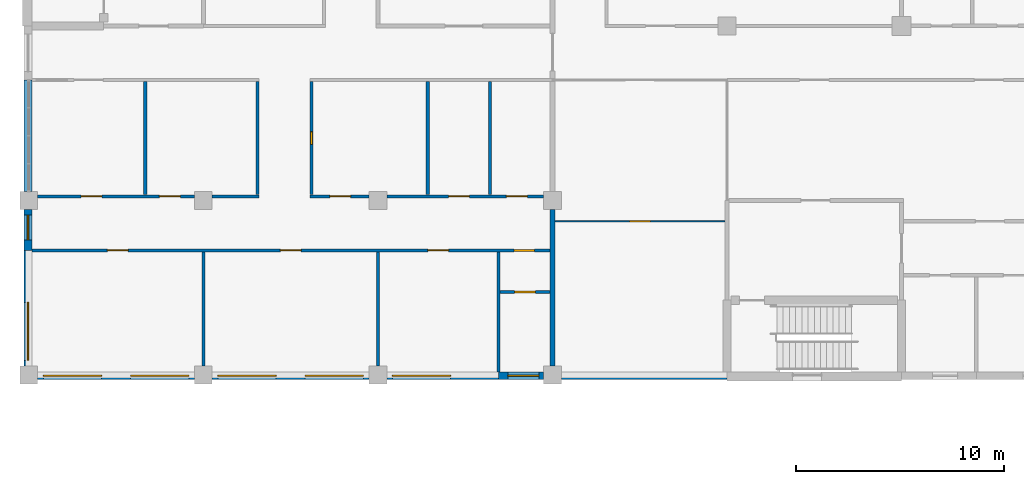
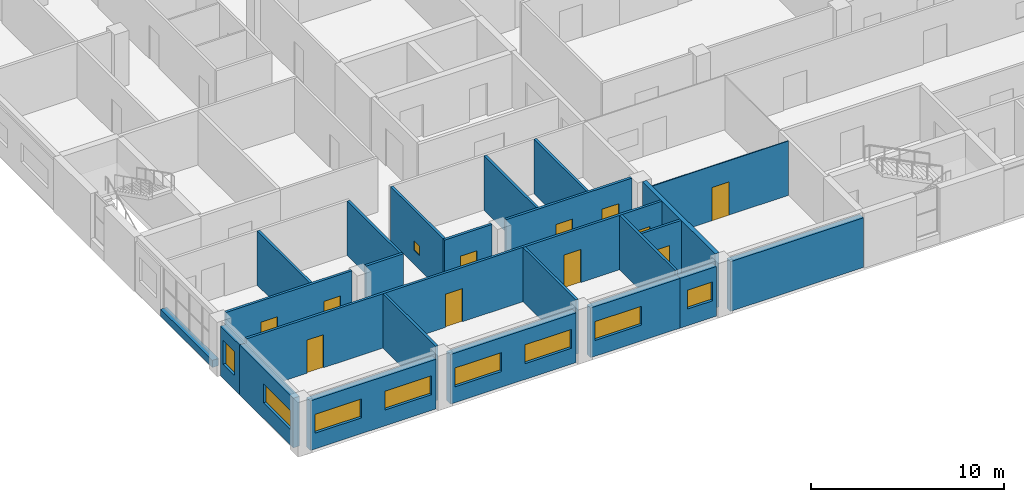
# One storey, part 51 of 94: 24 walls, 11 doors, 9 windows, 20 openings.
"""IFC4 building model written with IfcOpenShell, lengths in metres."""

from ifc_helpers import new_model, si_unit, direction, frame, frame_2d, origin, place, context, subcontext, project, spatial, rectangle, extrude, material, layer, layer_set, type_object, element, fill, save


model = new_model("IFC4")

# Units and contexts
model_context = context("Model", 3, precision=1e-05, world=origin(), true_north=direction((0.0, 1.0)))
body_context = subcontext(model_context, "Body", "Model", "MODEL_VIEW")
ifc_project = project(units=[si_unit("LENGTHUNIT", "METRE"), si_unit("AREAUNIT", "SQUARE_METRE"), si_unit("VOLUMEUNIT", "CUBIC_METRE"), si_unit("PLANEANGLEUNIT", "RADIAN"), si_unit("MASSUNIT", "GRAM", prefix="KILO")], contexts=[model_context])

# Site, building, storey
site_placement = place(None, origin())
site = spatial("IfcSite", under=ifc_project, at=site_placement, CompositionType="ELEMENT")
building_placement = place(site_placement, origin())
building = spatial("IfcBuilding", under=site, at=building_placement, Name="Yavir Park General Hospital", CompositionType="ELEMENT")
storey_placement = place(building_placement, frame((0.0, 0.0, 4.5)))
storey = spatial("IfcBuildingStorey", under=building, at=storey_placement, Name="L01", CompositionType="ELEMENT", Elevation=4.5)

# Wall
ifc_material_1 = material(Name="Concrete C30/37", Category="concrete")
ifc_layer_1 = layer(ifc_material_1, 0.25)
ifc_layer_set_1 = layer_set([ifc_layer_1], Name="Concrete C30/37")
wall_type_1 = type_object("IfcWallType", Name="Compartment fire wall 250, REI 150", PredefinedType="SOLIDWALL", material=ifc_layer_set_1)
wall_1_placement = place(storey_placement, frame((25.199951171875, 0.425048828125, 0.0), z_axis=(0.0, 0.0, 1.0), x_axis=(0.0, 1.0, 0.0)))
element("IfcWall", 1, at=wall_1_placement, inside=storey, type_object=wall_type_1, Name="FW25 L01-319", PredefinedType="SOLIDWALL", context=body_context, shape_type="SweptSolid", body=[
    extrude(rectangle(XDim=7.550048828125, YDim=0.25, at=frame_2d((3.77490234375, 0.0))), origin(), (0.0, 0.0, 1.0), 3.449951171875),
])

# Wall, opening, door
ifc_material_2 = material(Name="Gypsum board partition on steel studs", Category="steel")
ifc_layer_2 = layer(ifc_material_2, 0.14990234375)
ifc_layer_set_2 = layer_set([ifc_layer_2], Name="Gypsum board partition on steel studs")
wall_type_2 = type_object("IfcWallType", Name="Gypsum board partition 150", PredefinedType="PARTITIONING", material=ifc_layer_set_2)
wall_2_placement = place(storey_placement, frame((22.675048828125, 4.0, 0.0), z_axis=(0.0, 0.0, 1.0), x_axis=(1.0, 0.0, 0.0)))
wall_2 = element("IfcWall", 2, at=wall_2_placement, inside=storey, type_object=wall_type_2, Name="P15 L01-005", PredefinedType="PARTITIONING", context=body_context, shape_type="SweptSolid", body=[
    extrude(rectangle(XDim=2.39990234375, YDim=0.14990234375, at=frame_2d((1.199951171875, 0.0))), origin(), (0.0, 0.0, 1.0), 3.449951171875),
])
opening_1_placement = place(wall_2_placement, frame((0.699951171875, 0.0, 0.0)))
opening_1 = element("IfcOpeningElement", 3, at=opening_1_placement, cuts=wall_2, Name="Opening L01.D005", PredefinedType="OPENING", context=body_context, shape_type="SweptSolid", body=[
    extrude(rectangle(XDim=1.0, YDim=2.10009765625, at=frame_2d((0.5, 1.050048828125))), frame((0.0, 0.0849609375, 0.0), z_axis=(0.0, -1.0, 0.0), x_axis=(1.0, 0.0, 0.0)), (0.0, 0.0, 1.0), 0.169921875),
])
ifc_material_3 = material(Name="Sealed steel door leaf, compression seals", Category="steel")
door_type_1 = type_object("IfcDoorType", Name="Isolation airlock door 1000 x 2100", OperationType="SINGLE_SWING_LEFT", PredefinedType="DOOR", material=ifc_material_3)
door_1_placement = place(opening_1_placement, origin())
door_1 = element("IfcDoor", 4, at=door_1_placement, inside=storey, type_object=door_type_1, Name="L01.D005", OperationType="SINGLE_SWING_LEFT", OverallHeight=2.10009765625, OverallWidth=1.0, PredefinedType="DOOR", context=body_context, shape_type="SweptSolid", body=[
    extrude(rectangle(XDim=1.0, YDim=2.10009765625, at=frame_2d((0.5, 1.050048828125))), frame((0.0, 0.050048828125, 0.0), z_axis=(0.0, -1.0, 0.0), x_axis=(1.0, 0.0, 0.0)), (0.0, 0.0, 1.0), 0.10009765625),
])
fill(opening_1, door_1)

# Wall, openings, doors
wall_3_placement = place(storey_placement, frame((0.14990234375, 6.0, 0.0), z_axis=(0.0, 0.0, 1.0), x_axis=(1.0, 0.0, 0.0)))
wall_3 = element("IfcWall", 5, at=wall_3_placement, inside=storey, type_object=wall_type_2, Name="P15 L01-009", PredefinedType="PARTITIONING", context=body_context, shape_type="SweptSolid", body=[
    extrude(rectangle(XDim=24.925048828125, YDim=0.14990234375, at=frame_2d((12.46240234375, 0.0))), origin(), (0.0, 0.0, 1.0), 3.449951171875),
])
opening_2_placement = place(wall_3_placement, frame((3.625, 0.0, 0.0)))
opening_2 = element("IfcOpeningElement", 6, at=opening_2_placement, cuts=wall_3, Name="Opening L01.D027", PredefinedType="OPENING", context=body_context, shape_type="SweptSolid", body=[
    extrude(rectangle(XDim=1.0, YDim=2.10009765625, at=frame_2d((0.5, 1.050048828125))), frame((0.0, 0.0849609375, 0.0), z_axis=(0.0, -1.0, 0.0), x_axis=(1.0, 0.0, 0.0)), (0.0, 0.0, 1.0), 0.169921875),
])
opening_3_placement = place(wall_3_placement, frame((11.949951171875, 0.0, 0.0)))
opening_3 = element("IfcOpeningElement", 7, at=opening_3_placement, cuts=wall_3, Name="Opening L01.D028", PredefinedType="OPENING", context=body_context, shape_type="SweptSolid", body=[
    extrude(rectangle(XDim=1.0, YDim=2.10009765625, at=frame_2d((0.5, 1.050048828125))), frame((0.0, 0.0849609375, 0.0), z_axis=(0.0, -1.0, 0.0), x_axis=(1.0, 0.0, 0.0)), (0.0, 0.0, 1.0), 0.169921875),
])
opening_4_placement = place(wall_3_placement, frame((19.050048828125, 0.0, 0.0)))
opening_4 = element("IfcOpeningElement", 8, at=opening_4_placement, cuts=wall_3, Name="Opening L01.D029", PredefinedType="OPENING", context=body_context, shape_type="SweptSolid", body=[
    extrude(rectangle(XDim=1.0, YDim=2.10009765625, at=frame_2d((0.5, 1.050048828125))), frame((0.0, 0.0849609375, 0.0), z_axis=(0.0, -1.0, 0.0), x_axis=(1.0, 0.0, 0.0)), (0.0, 0.0, 1.0), 0.169921875),
])
opening_5_placement = place(wall_3_placement, frame((23.1875, 0.0, 0.0)))
opening_5 = element("IfcOpeningElement", 9, at=opening_5_placement, cuts=wall_3, Name="Opening L01.D030", PredefinedType="OPENING", context=body_context, shape_type="SweptSolid", body=[
    extrude(rectangle(XDim=1.0, YDim=2.10009765625, at=frame_2d((0.5, 1.050048828125))), frame((0.0, 0.0849609375, 0.0), z_axis=(0.0, -1.0, 0.0), x_axis=(1.0, 0.0, 0.0)), (0.0, 0.0, 1.0), 0.169921875),
])
door_2_placement = place(opening_5_placement, origin())
door_2 = element("IfcDoor", 10, at=door_2_placement, inside=storey, type_object=door_type_1, Name="L01.D030", OperationType="SINGLE_SWING_LEFT", OverallHeight=2.10009765625, OverallWidth=1.0, PredefinedType="DOOR", context=body_context, shape_type="SweptSolid", body=[
    extrude(rectangle(XDim=1.0, YDim=2.10009765625, at=frame_2d((0.5, 1.050048828125))), frame((0.0, 0.050048828125, 0.0), z_axis=(0.0, -1.0, 0.0), x_axis=(1.0, 0.0, 0.0)), (0.0, 0.0, 1.0), 0.10009765625),
])
fill(opening_5, door_2)
ifc_material_4 = material(Name="Hollow metal frame, solid-core timber leaf", Category="wood")
door_type_2 = type_object("IfcDoorType", Name="Single swing door 1000 x 2100", OperationType="SINGLE_SWING_LEFT", PredefinedType="DOOR", material=ifc_material_4)
door_3_placement = place(opening_2_placement, origin())
door_3 = element("IfcDoor", 11, at=door_3_placement, inside=storey, type_object=door_type_2, Name="L01.D027", OperationType="SINGLE_SWING_RIGHT", OverallHeight=2.10009765625, OverallWidth=1.0, PredefinedType="DOOR", context=body_context, shape_type="SweptSolid", body=[
    extrude(rectangle(XDim=1.0, YDim=2.10009765625, at=frame_2d((0.5, 1.050048828125))), frame((0.0, 0.02490234375, 0.0), z_axis=(0.0, -1.0, 0.0), x_axis=(1.0, 0.0, 0.0)), (0.0, 0.0, 1.0), 0.050048828125),
])
fill(opening_2, door_3)
door_4_placement = place(opening_3_placement, origin())
door_4 = element("IfcDoor", 12, at=door_4_placement, inside=storey, type_object=door_type_2, Name="L01.D028", OperationType="SINGLE_SWING_LEFT", OverallHeight=2.10009765625, OverallWidth=1.0, PredefinedType="DOOR", context=body_context, shape_type="SweptSolid", body=[
    extrude(rectangle(XDim=1.0, YDim=2.10009765625, at=frame_2d((0.5, 1.050048828125))), frame((0.0, 0.02490234375, 0.0), z_axis=(0.0, -1.0, 0.0), x_axis=(1.0, 0.0, 0.0)), (0.0, 0.0, 1.0), 0.050048828125),
])
fill(opening_3, door_4)
door_5_placement = place(opening_4_placement, origin())
door_5 = element("IfcDoor", 13, at=door_5_placement, inside=storey, type_object=door_type_2, Name="L01.D029", OperationType="SINGLE_SWING_LEFT", OverallHeight=2.10009765625, OverallWidth=1.0, PredefinedType="DOOR", context=body_context, shape_type="SweptSolid", body=[
    extrude(rectangle(XDim=1.0, YDim=2.10009765625, at=frame_2d((0.5, 1.050048828125))), frame((0.0, 0.02490234375, 0.0), z_axis=(0.0, -1.0, 0.0), x_axis=(1.0, 0.0, 0.0)), (0.0, 0.0, 1.0), 0.050048828125),
])
fill(opening_4, door_5)

wall_4_placement = place(storey_placement, frame((0.425048828125, 8.60009765625, 0.0), z_axis=(0.0, 0.0, 1.0), x_axis=(1.0, 0.0, 0.0)))
wall_4 = element("IfcWall", 14, at=wall_4_placement, inside=storey, type_object=wall_type_2, Name="P15 L01-033", PredefinedType="PARTITIONING", context=body_context, shape_type="SweptSolid", body=[
    extrude(rectangle(XDim=7.550048828125, YDim=0.14990234375, at=frame_2d((3.77490234375, 0.0))), origin(), (0.0, 0.0, 1.0), 3.449951171875),
])
opening_6_placement = place(wall_4_placement, frame((2.08740234375, 0.0, 0.0)))
opening_6 = element("IfcOpeningElement", 15, at=opening_6_placement, cuts=wall_4, Name="Opening L01.D049", PredefinedType="OPENING", context=body_context, shape_type="SweptSolid", body=[
    extrude(rectangle(XDim=1.0, YDim=2.10009765625, at=frame_2d((0.5, 1.050048828125))), frame((0.0, 0.0849609375, 0.0), z_axis=(0.0, -1.0, 0.0), x_axis=(1.0, 0.0, 0.0)), (0.0, 0.0, 1.0), 0.169921875),
])
opening_7_placement = place(wall_4_placement, frame((5.862548828125, 0.0, 0.0)))
opening_7 = element("IfcOpeningElement", 16, at=opening_7_placement, cuts=wall_4, Name="Opening L01.D050", PredefinedType="OPENING", context=body_context, shape_type="SweptSolid", body=[
    extrude(rectangle(XDim=1.0, YDim=2.10009765625, at=frame_2d((0.5, 1.050048828125))), frame((0.0, 0.0849609375, 0.0), z_axis=(0.0, -1.0, 0.0), x_axis=(1.0, 0.0, 0.0)), (0.0, 0.0, 1.0), 0.169921875),
])
door_6_placement = place(opening_6_placement, origin())
door_6 = element("IfcDoor", 17, at=door_6_placement, inside=storey, type_object=door_type_2, Name="L01.D049", OperationType="SINGLE_SWING_LEFT", OverallHeight=2.10009765625, OverallWidth=1.0, PredefinedType="DOOR", context=body_context, shape_type="SweptSolid", body=[
    extrude(rectangle(XDim=1.0, YDim=2.10009765625, at=frame_2d((0.5, 1.050048828125))), frame((0.0, 0.02490234375, 0.0), z_axis=(0.0, -1.0, 0.0), x_axis=(1.0, 0.0, 0.0)), (0.0, 0.0, 1.0), 0.050048828125),
])
fill(opening_6, door_6)
door_7_placement = place(opening_7_placement, origin())
door_7 = element("IfcDoor", 18, at=door_7_placement, inside=storey, type_object=door_type_2, Name="L01.D050", OperationType="SINGLE_SWING_RIGHT", OverallHeight=2.10009765625, OverallWidth=1.0, PredefinedType="DOOR", context=body_context, shape_type="SweptSolid", body=[
    extrude(rectangle(XDim=1.0, YDim=2.10009765625, at=frame_2d((0.5, 1.050048828125))), frame((0.0, 0.02490234375, 0.0), z_axis=(0.0, -1.0, 0.0), x_axis=(1.0, 0.0, 0.0)), (0.0, 0.0, 1.0), 0.050048828125),
])
fill(opening_7, door_7)

# Wall
wall_5_placement = place(storey_placement, frame((8.824951171875, 8.60009765625, 0.0), z_axis=(0.0, 0.0, 1.0), x_axis=(1.0, 0.0, 0.0)))
element("IfcWall", 19, at=wall_5_placement, inside=storey, type_object=wall_type_2, Name="P15 L01-034", PredefinedType="PARTITIONING", context=body_context, shape_type="SweptSolid", body=[
    extrude(rectangle(XDim=2.25, YDim=0.14990234375, at=frame_2d((1.125, 0.0))), origin(), (0.0, 0.0, 1.0), 3.449951171875),
])

# Wall, opening, door
wall_6_placement = place(storey_placement, frame((13.52490234375, 8.60009765625, 0.0), z_axis=(0.0, 0.0, 1.0), x_axis=(1.0, 0.0, 0.0)))
wall_6 = element("IfcWall", 20, at=wall_6_placement, inside=storey, type_object=wall_type_2, Name="P15 L01-035", PredefinedType="PARTITIONING", context=body_context, shape_type="SweptSolid", body=[
    extrude(rectangle(XDim=2.85009765625, YDim=0.14990234375, at=frame_2d((1.425048828125, 0.0))), origin(), (0.0, 0.0, 1.0), 3.449951171875),
])
opening_8_placement = place(wall_6_placement, frame((0.96240234375, 0.0, 0.0)))
opening_8 = element("IfcOpeningElement", 21, at=opening_8_placement, cuts=wall_6, Name="Opening L01.D051", PredefinedType="OPENING", context=body_context, shape_type="SweptSolid", body=[
    extrude(rectangle(XDim=1.0, YDim=2.10009765625, at=frame_2d((0.5, 1.050048828125))), frame((0.0, 0.0849609375, 0.0), z_axis=(0.0, -1.0, 0.0), x_axis=(1.0, 0.0, 0.0)), (0.0, 0.0, 1.0), 0.169921875),
])
door_8_placement = place(opening_8_placement, origin())
door_8 = element("IfcDoor", 22, at=door_8_placement, inside=storey, type_object=door_type_2, Name="L01.D051", OperationType="SINGLE_SWING_RIGHT", OverallHeight=2.10009765625, OverallWidth=1.0, PredefinedType="DOOR", context=body_context, shape_type="SweptSolid", body=[
    extrude(rectangle(XDim=1.0, YDim=2.10009765625, at=frame_2d((0.5, 1.050048828125))), frame((0.0, 0.02490234375, 0.0), z_axis=(0.0, -1.0, 0.0), x_axis=(1.0, 0.0, 0.0)), (0.0, 0.0, 1.0), 0.050048828125),
])
fill(opening_8, door_8)

# Wall, openings, doors
wall_7_placement = place(storey_placement, frame((17.22509765625, 8.60009765625, 0.0), z_axis=(0.0, 0.0, 1.0), x_axis=(1.0, 0.0, 0.0)))
wall_7 = element("IfcWall", 23, at=wall_7_placement, inside=storey, type_object=wall_type_2, Name="P15 L01-036", PredefinedType="PARTITIONING", context=body_context, shape_type="SweptSolid", body=[
    extrude(rectangle(XDim=7.5498046875, YDim=0.14990234375, at=frame_2d((3.77490234375, 0.0))), origin(), (0.0, 0.0, 1.0), 3.449951171875),
])
opening_9_placement = place(wall_7_placement, frame((2.97509765625, 0.0, 0.0)))
opening_9 = element("IfcOpeningElement", 24, at=opening_9_placement, cuts=wall_7, Name="Opening L01.D052", PredefinedType="OPENING", context=body_context, shape_type="SweptSolid", body=[
    extrude(rectangle(XDim=1.0, YDim=2.10009765625, at=frame_2d((0.5, 1.050048828125))), frame((0.0, 0.0849609375, 0.0), z_axis=(0.0, -1.0, 0.0), x_axis=(1.0, 0.0, 0.0)), (0.0, 0.0, 1.0), 0.169921875),
])
opening_10_placement = place(wall_7_placement, frame((5.762451171875, 0.0, 0.0)))
opening_10 = element("IfcOpeningElement", 25, at=opening_10_placement, cuts=wall_7, Name="Opening L01.D053", PredefinedType="OPENING", context=body_context, shape_type="SweptSolid", body=[
    extrude(rectangle(XDim=1.0, YDim=2.10009765625, at=frame_2d((0.5, 1.050048828125))), frame((0.0, 0.0849609375, 0.0), z_axis=(0.0, -1.0, 0.0), x_axis=(1.0, 0.0, 0.0)), (0.0, 0.0, 1.0), 0.169921875),
])
door_9_placement = place(opening_9_placement, origin())
door_9 = element("IfcDoor", 26, at=door_9_placement, inside=storey, type_object=door_type_2, Name="L01.D052", OperationType="SINGLE_SWING_RIGHT", OverallHeight=2.10009765625, OverallWidth=1.0, PredefinedType="DOOR", context=body_context, shape_type="SweptSolid", body=[
    extrude(rectangle(XDim=1.0, YDim=2.10009765625, at=frame_2d((0.5, 1.050048828125))), frame((0.0, 0.02490234375, 0.0), z_axis=(0.0, -1.0, 0.0), x_axis=(1.0, 0.0, 0.0)), (0.0, 0.0, 1.0), 0.050048828125),
])
fill(opening_9, door_9)
door_10_placement = place(opening_10_placement, origin())
door_10 = element("IfcDoor", 27, at=door_10_placement, inside=storey, type_object=door_type_2, Name="L01.D053", OperationType="SINGLE_SWING_RIGHT", OverallHeight=2.10009765625, OverallWidth=1.0, PredefinedType="DOOR", context=body_context, shape_type="SweptSolid", body=[
    extrude(rectangle(XDim=1.0, YDim=2.10009765625, at=frame_2d((0.5, 1.050048828125))), frame((0.0, 0.02490234375, 0.0), z_axis=(0.0, -1.0, 0.0), x_axis=(1.0, 0.0, 0.0)), (0.0, 0.0, 1.0), 0.050048828125),
])
fill(opening_10, door_10)

# Walls
wall_8_placement = place(storey_placement, frame((5.60009765625, 8.675048828125, 0.0), z_axis=(0.0, 0.0, 1.0), x_axis=(0.0, 1.0, 0.0)))
element("IfcWall", 28, at=wall_8_placement, inside=storey, type_object=wall_type_2, Name="P15 L01-277", PredefinedType="PARTITIONING", context=body_context, shape_type="SweptSolid", body=[
    extrude(rectangle(XDim=5.449951171875, YDim=0.14990234375, at=frame_2d((2.72509765625, 0.0))), origin(), (0.0, 0.0, 1.0), 3.449951171875),
])
wall_9_placement = place(storey_placement, frame((8.39990234375, 0.425048828125, 0.0), z_axis=(0.0, 0.0, 1.0), x_axis=(0.0, 1.0, 0.0)))
element("IfcWall", 29, at=wall_9_placement, inside=storey, type_object=wall_type_2, Name="P15 L01-284", PredefinedType="PARTITIONING", context=body_context, shape_type="SweptSolid", body=[
    extrude(rectangle(XDim=5.5, YDim=0.14990234375, at=frame_2d((2.75, 0.0))), origin(), (0.0, 0.0, 1.0), 3.449951171875),
])
wall_10_placement = place(storey_placement, frame((11.0, 8.675048828125, 0.0), z_axis=(0.0, 0.0, 1.0), x_axis=(0.0, 1.0, 0.0)))
element("IfcWall", 30, at=wall_10_placement, inside=storey, type_object=wall_type_2, Name="P15 L01-287", PredefinedType="PARTITIONING", context=body_context, shape_type="SweptSolid", body=[
    extrude(rectangle(XDim=5.449951171875, YDim=0.14990234375, at=frame_2d((2.72509765625, 0.0))), origin(), (0.0, 0.0, 1.0), 3.449951171875),
])

# Wall, opening, window
wall_11_placement = place(storey_placement, frame((13.60009765625, 8.675048828125, 0.0), z_axis=(0.0, 0.0, 1.0), x_axis=(0.0, 1.0, 0.0)))
wall_11 = element("IfcWall", 31, at=wall_11_placement, inside=storey, type_object=wall_type_2, Name="P15 L01-293", PredefinedType="PARTITIONING", context=body_context, shape_type="SweptSolid", body=[
    extrude(rectangle(XDim=5.449951171875, YDim=0.14990234375, at=frame_2d((2.72509765625, 0.0))), origin(), (0.0, 0.0, 1.0), 3.449951171875),
])
opening_11_placement = place(wall_11_placement, frame((2.425048828125, 0.0, 0.89990234375)))
opening_11 = element("IfcOpeningElement", 32, at=opening_11_placement, cuts=wall_11, Name="Opening L01.906", PredefinedType="OPENING", context=body_context, shape_type="SweptSolid", body=[
    extrude(rectangle(XDim=0.60009765625, YDim=0.60009765625, at=frame_2d((0.300048828125, 0.300048828125))), frame((0.0, 0.0849609375, 0.0), z_axis=(0.0, -1.0, 0.0), x_axis=(1.0, 0.0, 0.0)), (0.0, 0.0, 1.0), 0.169921875),
])
ifc_material_5 = material(Name="Interlocked stainless steel pass-through, glazed doors", Category="steel")
window_type_1 = type_object("IfcWindowType", Name="Specimen pass-through hatch 600 x 600", PartitioningType="SINGLE_PANEL", PredefinedType="WINDOW", material=ifc_material_5)
window_1_placement = place(opening_11_placement, origin())
window_1 = element("IfcWindow", 33, at=window_1_placement, inside=storey, type_object=window_type_1, Name="L01.906", OverallHeight=0.60009765625, OverallWidth=0.60009765625, PartitioningType="SINGLE_PANEL", PredefinedType="WINDOW", context=body_context, shape_type="SweptSolid", body=[
    extrude(rectangle(XDim=0.60009765625, YDim=0.60009765625, at=frame_2d((0.300048828125, 0.300048828125))), frame((0.0, 0.0400390625, 0.0), z_axis=(0.0, -1.0, 0.0), x_axis=(1.0, 0.0, 0.0)), (0.0, 0.0, 1.0), 0.080078125),
])
fill(opening_11, window_1)

# Walls
wall_12_placement = place(storey_placement, frame((16.800048828125, 0.425048828125, 0.0), z_axis=(0.0, 0.0, 1.0), x_axis=(0.0, 1.0, 0.0)))
element("IfcWall", 34, at=wall_12_placement, inside=storey, type_object=wall_type_2, Name="P15 L01-300", PredefinedType="PARTITIONING", context=body_context, shape_type="SweptSolid", body=[
    extrude(rectangle(XDim=5.5, YDim=0.14990234375, at=frame_2d((2.75, 0.0))), origin(), (0.0, 0.0, 1.0), 3.449951171875),
])
for number, where, z_axis, x_axis, name in (
    (35, (19.199951171875, 8.675048828125, 0.0), (0.0, 0.0, 1.0), (0.0, 1.0, 0.0), "P15 L01-307"),
    (36, (22.199951171875, 8.675048828125, 0.0), (0.0, 0.0, 1.0), (0.0, 1.0, 0.0), "P15 L01-317"),
):
    element("IfcWall", number, at=place(storey_placement, frame(where, z_axis=z_axis, x_axis=x_axis)), inside=storey, type_object=wall_type_2, Name=name, PredefinedType="PARTITIONING", context=body_context, shape_type="SweptSolid", body=[
        extrude(rectangle(XDim=5.449951171875, YDim=0.14990234375, at=frame_2d((2.72509765625, 0.0))), origin(), (0.0, 0.0, 1.0), 3.449951171875),
    ])
wall_13_placement = place(storey_placement, frame((22.60009765625, 0.14990234375, 0.0), z_axis=(0.0, 0.0, 1.0), x_axis=(0.0, 1.0, 0.0)))
element("IfcWall", 37, at=wall_13_placement, inside=storey, type_object=wall_type_2, Name="P15 L01-318", PredefinedType="PARTITIONING", context=body_context, shape_type="SweptSolid", body=[
    extrude(rectangle(XDim=5.775146484375, YDim=0.14990234375, at=frame_2d((2.8876953125, 0.0))), origin(), (0.0, 0.0, 1.0), 3.449951171875),
])

# Wall, opening, door
ifc_material_6 = material(Name="Hygienic sandwich panel with galvanised steel sheet faces", Category="steel")
ifc_layer_3 = layer(ifc_material_6, 0.06005859375)
ifc_layer_set_3 = layer_set([ifc_layer_3], Name="Hygienic sandwich panel with galvanised steel sheet faces")
wall_type_3 = type_object("IfcWallType", Name="Hygienic panel partition 60", PredefinedType="PARTITIONING", material=ifc_layer_set_3)
wall_14_placement = place(storey_placement, frame((25.324951171875, 7.39990234375, 0.0), z_axis=(0.0, 0.0, 1.0), x_axis=(1.0, 0.0, 0.0)))
wall_14 = element("IfcWall", 38, at=wall_14_placement, inside=storey, type_object=wall_type_3, Name="HP60 L01-015", PredefinedType="PARTITIONING", context=body_context, shape_type="SweptSolid", body=[
    extrude(rectangle(XDim=8.175048828125, YDim=0.06005859375, at=frame_2d((4.08740234375, 0.0))), origin(), (0.0, 0.0, 1.0), 3.449951171875),
])
opening_12_placement = place(wall_14_placement, frame((3.58740234375, 0.0, 0.0)))
opening_12 = element("IfcOpeningElement", 39, at=opening_12_placement, cuts=wall_14, Name="Opening L01.D036", PredefinedType="OPENING", context=body_context, shape_type="SweptSolid", body=[
    extrude(rectangle(XDim=1.0, YDim=2.10009765625, at=frame_2d((0.5, 1.050048828125))), frame((0.0, 0.0400390625, 0.0), z_axis=(0.0, -1.0, 0.0), x_axis=(1.0, 0.0, 0.0)), (0.0, 0.0, 1.0), 0.080078125),
])
door_11_placement = place(opening_12_placement, origin())
door_11 = element("IfcDoor", 40, at=door_11_placement, inside=storey, type_object=door_type_2, Name="L01.D036", OperationType="SINGLE_SWING_LEFT", OverallHeight=2.10009765625, OverallWidth=1.0, PredefinedType="DOOR", context=body_context, shape_type="SweptSolid", body=[
    extrude(rectangle(XDim=1.0, YDim=2.10009765625, at=frame_2d((0.5, 1.050048828125))), frame((0.0, 0.02490234375, 0.0), z_axis=(0.0, -1.0, 0.0), x_axis=(1.0, 0.0, 0.0)), (0.0, 0.0, 1.0), 0.050048828125),
])
fill(opening_12, door_11)

# Wall, openings, windows
ifc_material_7 = material(Name="Autoclaved aerated block, 150 mm mineral wool and sand-coloured mineral render")
ifc_layer_4 = layer(ifc_material_7, 0.375)
ifc_layer_set_4 = layer_set([ifc_layer_4], Name="Autoclaved aerated block, 150 mm mineral wool and sand-coloured mineral render")
wall_type_4 = type_object("IfcWallType", Name="Mineral render clinical wall 375, E 30", PredefinedType="SOLIDWALL", material=ifc_layer_set_4)
wall_15_placement = place(storey_placement, frame((0.425048828125, -0.03759765625, 0.0), z_axis=(0.0, 0.0, 1.0), x_axis=(1.0, 0.0, 0.0)))
wall_15 = element("IfcWall", 41, at=wall_15_placement, inside=storey, type_object=wall_type_4, Name="XW1 L01-001", PredefinedType="SOLIDWALL", context=body_context, shape_type="SweptSolid", body=[
    extrude(rectangle(XDim=7.550048828125, YDim=0.375, at=frame_2d((3.77490234375, 0.0))), origin(), (0.0, 0.0, 1.0), 3.14990234375),
])
opening_13_placement = place(wall_15_placement, frame((0.27490234375, 0.0, 1.0)))
opening_13 = element("IfcOpeningElement", 42, at=opening_13_placement, cuts=wall_15, Name="Opening WRB", PredefinedType="OPENING", context=body_context, shape_type="SweptSolid", body=[
    extrude(rectangle(XDim=2.800048828125, YDim=1.199951171875, at=frame_2d((1.39990234375, 0.60009765625))), frame((0.0, 0.197509765625, 0.0), z_axis=(0.0, -1.0, 0.0), x_axis=(1.0, 0.0, 0.0)), (0.0, 0.0, 1.0), 0.39501953125),
])
opening_14_placement = place(wall_15_placement, frame((4.47509765625, 0.0, 1.0)))
opening_14 = element("IfcOpeningElement", 43, at=opening_14_placement, cuts=wall_15, Name="Opening WRB", PredefinedType="OPENING", context=body_context, shape_type="SweptSolid", body=[
    extrude(rectangle(XDim=2.800048828125, YDim=1.199951171875, at=frame_2d((1.39990234375, 0.60009765625))), frame((0.0, 0.197509765625, 0.0), z_axis=(0.0, -1.0, 0.0), x_axis=(1.0, 0.0, 0.0)), (0.0, 0.0, 1.0), 0.39501953125),
])
ifc_material_8 = material(Name="Aluminium frame, double glazed unit", Category="aluminium")
window_type_2 = type_object("IfcWindowType", Name="Ribbon window 2800 x 1200", PartitioningType="DOUBLE_PANEL_VERTICAL", PredefinedType="WINDOW", material=ifc_material_8)
window_2_placement = place(opening_13_placement, origin())
window_2 = element("IfcWindow", 44, at=window_2_placement, inside=storey, type_object=window_type_2, Name="WRB L01-001", OverallHeight=1.199951171875, OverallWidth=2.800048828125, PartitioningType="DOUBLE_PANEL_VERTICAL", PredefinedType="WINDOW", context=body_context, shape_type="SweptSolid", body=[
    extrude(rectangle(XDim=2.800048828125, YDim=1.199951171875, at=frame_2d((1.39990234375, 0.60009765625))), frame((0.0, 0.030029296875, 0.0), z_axis=(0.0, -1.0, 0.0), x_axis=(1.0, 0.0, 0.0)), (0.0, 0.0, 1.0), 0.06005859375),
])
fill(opening_13, window_2)
window_3_placement = place(opening_14_placement, origin())
window_3 = element("IfcWindow", 45, at=window_3_placement, inside=storey, type_object=window_type_2, Name="WRB L01-002", OverallHeight=1.199951171875, OverallWidth=2.800048828125, PartitioningType="DOUBLE_PANEL_VERTICAL", PredefinedType="WINDOW", context=body_context, shape_type="SweptSolid", body=[
    extrude(rectangle(XDim=2.800048828125, YDim=1.199951171875, at=frame_2d((1.39990234375, 0.60009765625))), frame((0.0, 0.030029296875, 0.0), z_axis=(0.0, -1.0, 0.0), x_axis=(1.0, 0.0, 0.0)), (0.0, 0.0, 1.0), 0.06005859375),
])
fill(opening_14, window_3)

wall_16_placement = place(storey_placement, frame((8.824951171875, -0.03759765625, 0.0), z_axis=(0.0, 0.0, 1.0), x_axis=(1.0, 0.0, 0.0)))
wall_16 = element("IfcWall", 46, at=wall_16_placement, inside=storey, type_object=wall_type_4, Name="XW1 L01-002", PredefinedType="SOLIDWALL", context=body_context, shape_type="SweptSolid", body=[
    extrude(rectangle(XDim=7.550048828125, YDim=0.375, at=frame_2d((3.77490234375, 0.0))), origin(), (0.0, 0.0, 1.0), 3.14990234375),
])
opening_15_placement = place(wall_16_placement, frame((0.27490234375, 0.0, 1.0)))
opening_15 = element("IfcOpeningElement", 47, at=opening_15_placement, cuts=wall_16, Name="Opening WRB", PredefinedType="OPENING", context=body_context, shape_type="SweptSolid", body=[
    extrude(rectangle(XDim=2.800048828125, YDim=1.199951171875, at=frame_2d((1.39990234375, 0.60009765625))), frame((0.0, 0.197509765625, 0.0), z_axis=(0.0, -1.0, 0.0), x_axis=(1.0, 0.0, 0.0)), (0.0, 0.0, 1.0), 0.39501953125),
])
opening_16_placement = place(wall_16_placement, frame((4.47509765625, 0.0, 1.0)))
opening_16 = element("IfcOpeningElement", 48, at=opening_16_placement, cuts=wall_16, Name="Opening WRB", PredefinedType="OPENING", context=body_context, shape_type="SweptSolid", body=[
    extrude(rectangle(XDim=2.800048828125, YDim=1.199951171875, at=frame_2d((1.39990234375, 0.60009765625))), frame((0.0, 0.197509765625, 0.0), z_axis=(0.0, -1.0, 0.0), x_axis=(1.0, 0.0, 0.0)), (0.0, 0.0, 1.0), 0.39501953125),
])
window_4_placement = place(opening_15_placement, origin())
window_4 = element("IfcWindow", 49, at=window_4_placement, inside=storey, type_object=window_type_2, Name="WRB L01-003", OverallHeight=1.199951171875, OverallWidth=2.800048828125, PartitioningType="DOUBLE_PANEL_VERTICAL", PredefinedType="WINDOW", context=body_context, shape_type="SweptSolid", body=[
    extrude(rectangle(XDim=2.800048828125, YDim=1.199951171875, at=frame_2d((1.39990234375, 0.60009765625))), frame((0.0, 0.030029296875, 0.0), z_axis=(0.0, -1.0, 0.0), x_axis=(1.0, 0.0, 0.0)), (0.0, 0.0, 1.0), 0.06005859375),
])
fill(opening_15, window_4)
window_5_placement = place(opening_16_placement, origin())
window_5 = element("IfcWindow", 50, at=window_5_placement, inside=storey, type_object=window_type_2, Name="WRB L01-004", OverallHeight=1.199951171875, OverallWidth=2.800048828125, PartitioningType="DOUBLE_PANEL_VERTICAL", PredefinedType="WINDOW", context=body_context, shape_type="SweptSolid", body=[
    extrude(rectangle(XDim=2.800048828125, YDim=1.199951171875, at=frame_2d((1.39990234375, 0.60009765625))), frame((0.0, 0.030029296875, 0.0), z_axis=(0.0, -1.0, 0.0), x_axis=(1.0, 0.0, 0.0)), (0.0, 0.0, 1.0), 0.06005859375),
])
fill(opening_16, window_5)

# Wall, opening, window
wall_17_placement = place(storey_placement, frame((17.22509765625, -0.03759765625, 0.0), z_axis=(0.0, 0.0, 1.0), x_axis=(1.0, 0.0, 0.0)))
wall_17 = element("IfcWall", 51, at=wall_17_placement, inside=storey, type_object=wall_type_4, Name="XW1 L01-003", PredefinedType="SOLIDWALL", context=body_context, shape_type="SweptSolid", body=[
    extrude(rectangle(XDim=5.375, YDim=0.375, at=frame_2d((2.6875, 0.0))), origin(), (0.0, 0.0, 1.0), 3.14990234375),
])
opening_17_placement = place(wall_17_placement, frame((0.27490234375, 0.0, 1.0)))
opening_17 = element("IfcOpeningElement", 52, at=opening_17_placement, cuts=wall_17, Name="Opening WRB", PredefinedType="OPENING", context=body_context, shape_type="SweptSolid", body=[
    extrude(rectangle(XDim=2.800048828125, YDim=1.199951171875, at=frame_2d((1.39990234375, 0.60009765625))), frame((0.0, 0.197509765625, 0.0), z_axis=(0.0, -1.0, 0.0), x_axis=(1.0, 0.0, 0.0)), (0.0, 0.0, 1.0), 0.39501953125),
])
window_6_placement = place(opening_17_placement, origin())
window_6 = element("IfcWindow", 53, at=window_6_placement, inside=storey, type_object=window_type_2, Name="WRB L01-005", OverallHeight=1.199951171875, OverallWidth=2.800048828125, PartitioningType="DOUBLE_PANEL_VERTICAL", PredefinedType="WINDOW", context=body_context, shape_type="SweptSolid", body=[
    extrude(rectangle(XDim=2.800048828125, YDim=1.199951171875, at=frame_2d((1.39990234375, 0.60009765625))), frame((0.0, 0.030029296875, 0.0), z_axis=(0.0, -1.0, 0.0), x_axis=(1.0, 0.0, 0.0)), (0.0, 0.0, 1.0), 0.06005859375),
])
fill(opening_17, window_6)

wall_18_placement = place(storey_placement, frame((22.60009765625, -0.03759765625, 0.0), z_axis=(0.0, 0.0, 1.0), x_axis=(1.0, 0.0, 0.0)))
wall_18 = element("IfcWall", 54, at=wall_18_placement, inside=storey, type_object=wall_type_4, Name="XW1 L01-004", PredefinedType="SOLIDWALL", context=body_context, shape_type="SweptSolid", body=[
    extrude(rectangle(XDim=2.1748046875, YDim=0.375, at=frame_2d((1.08740234375, 0.0))), origin(), (0.0, 0.0, 1.0), 3.14990234375),
])
opening_18_placement = place(wall_18_placement, frame((0.449951171875, 0.0, 1.050048828125)))
opening_18 = element("IfcOpeningElement", 55, at=opening_18_placement, cuts=wall_18, Name="Opening WK", PredefinedType="OPENING", context=body_context, shape_type="SweptSolid", body=[
    extrude(rectangle(XDim=1.5, YDim=1.199951171875, at=frame_2d((0.75, 0.60009765625))), frame((0.0, 0.197509765625, 0.0), z_axis=(0.0, -1.0, 0.0), x_axis=(1.0, 0.0, 0.0)), (0.0, 0.0, 1.0), 0.39501953125),
])
ifc_material_9 = material(Name="Aluminium frame, double glazed unit", Category="aluminium")
window_type_3 = type_object("IfcWindowType", Name="Laboratory window 1500 x 1200", PartitioningType="SINGLE_PANEL", PredefinedType="WINDOW", material=ifc_material_9)
window_7_placement = place(opening_18_placement, origin())
window_7 = element("IfcWindow", 56, at=window_7_placement, inside=storey, type_object=window_type_3, Name="WK L01-006", OverallHeight=1.199951171875, OverallWidth=1.5, PartitioningType="SINGLE_PANEL", PredefinedType="WINDOW", context=body_context, shape_type="SweptSolid", body=[
    extrude(rectangle(XDim=1.5, YDim=1.199951171875, at=frame_2d((0.75, 0.60009765625))), frame((0.0, 0.030029296875, 0.0), z_axis=(0.0, -1.0, 0.0), x_axis=(1.0, 0.0, 0.0)), (0.0, 0.0, 1.0), 0.06005859375),
])
fill(opening_18, window_7)

# Wall
wall_19_placement = place(storey_placement, frame((25.625, -0.03759765625, 0.0), z_axis=(0.0, 0.0, 1.0), x_axis=(1.0, 0.0, 0.0)))
element("IfcWall", 57, at=wall_19_placement, inside=storey, type_object=wall_type_4, Name="XW1 L01-005", PredefinedType="SOLIDWALL", context=body_context, shape_type="SweptSolid", body=[
    extrude(rectangle(XDim=7.97509765625, YDim=0.375, at=frame_2d((3.987548828125, 0.0))), origin(), (0.0, 0.0, 1.0), 3.14990234375),
])

# Wall, opening, window
wall_20_placement = place(storey_placement, frame((-0.03759765625, 0.425048828125, 0.0), z_axis=(0.0, 0.0, 1.0), x_axis=(0.0, 1.0, 0.0)))
wall_20 = element("IfcWall", 58, at=wall_20_placement, inside=storey, type_object=wall_type_4, Name="XW1 L01-134", PredefinedType="SOLIDWALL", context=body_context, shape_type="SweptSolid", body=[
    extrude(rectangle(XDim=5.574951171875, YDim=0.375, at=frame_2d((2.78759765625, 0.0))), origin(), (0.0, 0.0, 1.0), 3.14990234375),
])
opening_19_placement = place(wall_20_placement, frame((0.27490234375, 0.0, 1.0)))
opening_19 = element("IfcOpeningElement", 59, at=opening_19_placement, cuts=wall_20, Name="Opening WRB", PredefinedType="OPENING", context=body_context, shape_type="SweptSolid", body=[
    extrude(rectangle(XDim=2.800048828125, YDim=1.199951171875, at=frame_2d((1.39990234375, 0.60009765625))), frame((0.0, 0.197509765625, 0.0), z_axis=(0.0, -1.0, 0.0), x_axis=(1.0, 0.0, 0.0)), (0.0, 0.0, 1.0), 0.39501953125),
])
window_8_placement = place(opening_19_placement, origin())
window_8 = element("IfcWindow", 60, at=window_8_placement, inside=storey, type_object=window_type_2, Name="WRB L01-072", OverallHeight=1.199951171875, OverallWidth=2.800048828125, PartitioningType="DOUBLE_PANEL_VERTICAL", PredefinedType="WINDOW", context=body_context, shape_type="SweptSolid", body=[
    extrude(rectangle(XDim=2.800048828125, YDim=1.199951171875, at=frame_2d((1.39990234375, 0.60009765625))), frame((0.0, 0.030029296875, 0.0), z_axis=(0.0, -1.0, 0.0), x_axis=(1.0, 0.0, 0.0)), (0.0, 0.0, 1.0), 0.06005859375),
])
fill(opening_19, window_8)

wall_21_placement = place(storey_placement, frame((-0.03759765625, 6.0, 0.0), z_axis=(0.0, 0.0, 1.0), x_axis=(0.0, 1.0, 0.0)))
wall_21 = element("IfcWall", 61, at=wall_21_placement, inside=storey, type_object=wall_type_4, Name="XW1 L01-135", PredefinedType="SOLIDWALL", context=body_context, shape_type="SweptSolid", body=[
    extrude(rectangle(XDim=1.97509765625, YDim=0.375, at=frame_2d((0.987548828125, 0.0))), origin(), (0.0, 0.0, 1.0), 3.14990234375),
])
opening_20_placement = place(wall_21_placement, frame((0.5, 0.0, 0.89990234375)))
opening_20 = element("IfcOpeningElement", 62, at=opening_20_placement, cuts=wall_21, Name="Opening WD", PredefinedType="OPENING", context=body_context, shape_type="SweptSolid", body=[
    extrude(rectangle(XDim=1.199951171875, YDim=1.5, at=frame_2d((0.60009765625, 0.75))), frame((0.0, 0.197509765625, 0.0), z_axis=(0.0, -1.0, 0.0), x_axis=(1.0, 0.0, 0.0)), (0.0, 0.0, 1.0), 0.39501953125),
])
ifc_material_10 = material(Name="Aluminium frame, double glazed unit", Category="aluminium")
window_type_4 = type_object("IfcWindowType", Name="Office window 1200 x 1500", PartitioningType="SINGLE_PANEL", PredefinedType="WINDOW", material=ifc_material_10)
window_9_placement = place(opening_20_placement, origin())
window_9 = element("IfcWindow", 63, at=window_9_placement, inside=storey, type_object=window_type_4, Name="WD L01-073", OverallHeight=1.5, OverallWidth=1.199951171875, PartitioningType="SINGLE_PANEL", PredefinedType="WINDOW", context=body_context, shape_type="SweptSolid", body=[
    extrude(rectangle(XDim=1.199951171875, YDim=1.5, at=frame_2d((0.60009765625, 0.75))), frame((0.0, 0.030029296875, 0.0), z_axis=(0.0, -1.0, 0.0), x_axis=(1.0, 0.0, 0.0)), (0.0, 0.0, 1.0), 0.06005859375),
])
fill(opening_20, window_9)

# Wall
wall_22_placement = place(storey_placement, frame((-0.03759765625, 8.824951171875, 0.0), z_axis=(0.0, 0.0, 1.0), x_axis=(0.0, 1.0, 0.0)))
element("IfcWall", 64, at=wall_22_placement, inside=storey, type_object=wall_type_4, Name="XW1 L01-136", PredefinedType="SOLIDWALL", context=body_context, shape_type="SweptSolid", body=[
    extrude(rectangle(XDim=5.375, YDim=0.375, at=frame_2d((2.6875, 0.0))), origin(), (0.0, 0.0, 1.0), 0.449951171875),
])

save(model, "model.ifc")
